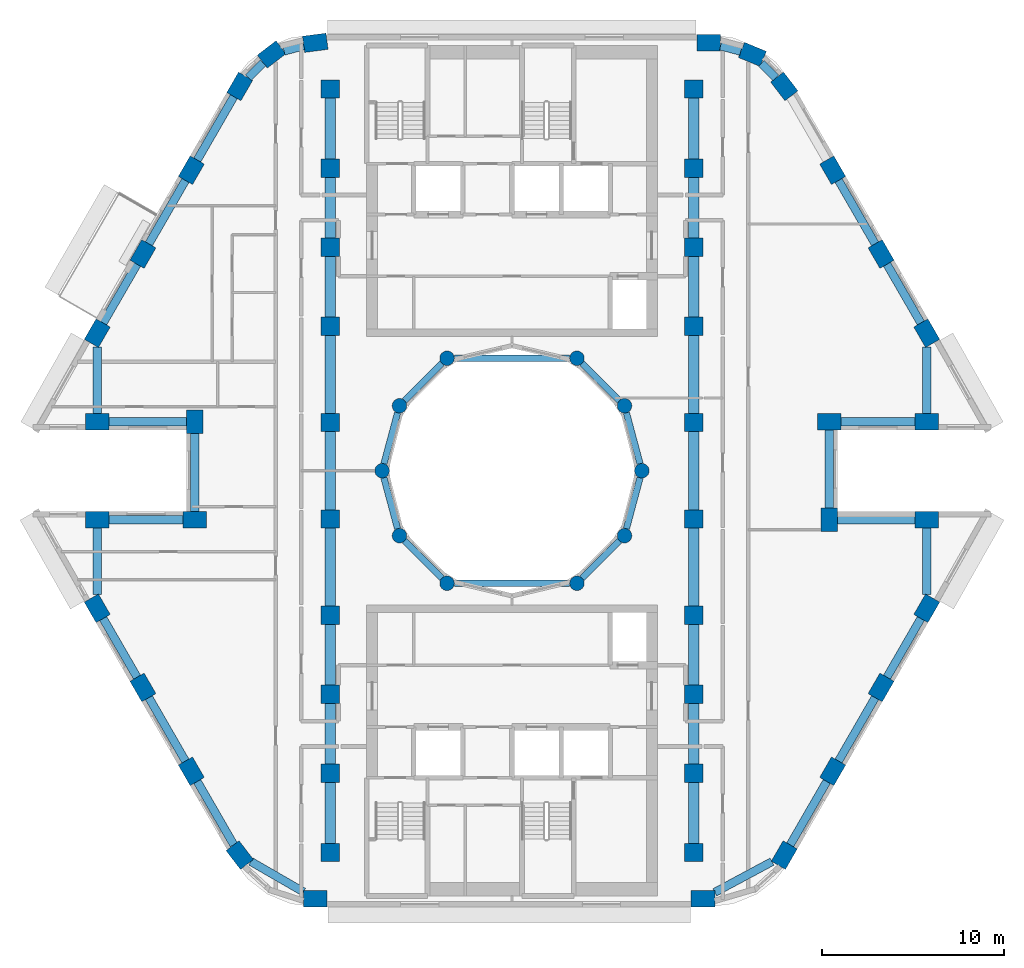
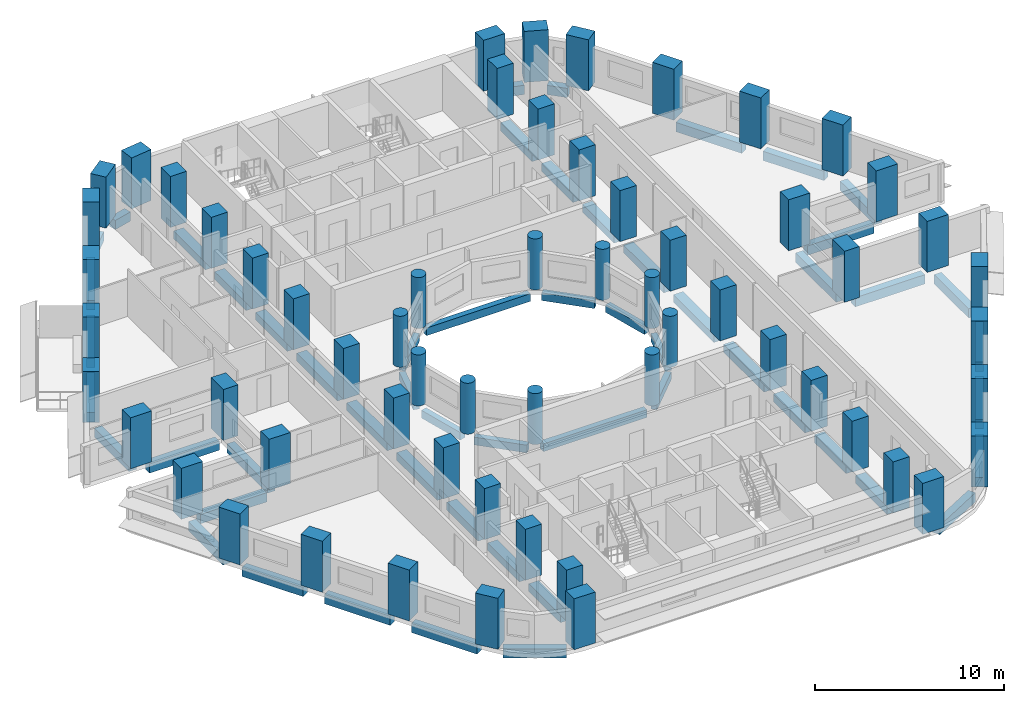
# One storey, part 1 of 13: 60 columns, 55 beams.
"""IFC4 building model written with IfcOpenShell, lengths in metres."""

from ifc_helpers import new_model, si_unit, direction, frame, origin, origin_2d, place, context, subcontext, project, spatial, rectangle, circle, extrude, material, material_profile, profile_set, type_object, element, save


model = new_model("IFC4")

# Units and contexts
model_context = context("Model", 3, precision=1e-05, world=origin(), true_north=direction((0.0, 1.0)))
body_context = subcontext(model_context, "Body", "Model", "MODEL_VIEW")
ifc_project = project(units=[si_unit("LENGTHUNIT", "METRE"), si_unit("AREAUNIT", "SQUARE_METRE"), si_unit("VOLUMEUNIT", "CUBIC_METRE"), si_unit("PLANEANGLEUNIT", "RADIAN"), si_unit("MASSUNIT", "GRAM", prefix="KILO")], contexts=[model_context])

# Site, building, storey
site_placement = place(None, origin())
site = spatial("IfcSite", under=ifc_project, at=site_placement, CompositionType="ELEMENT")
building_placement = place(site_placement, origin())
building = spatial("IfcBuilding", under=site, at=building_placement, Name="Nakaniwa Court", CompositionType="ELEMENT")
storey_placement = place(building_placement, frame((0.0, 0.0, 130.5)))
storey = spatial("IfcBuildingStorey", under=building, at=storey_placement, Name="L33", CompositionType="ELEMENT", Elevation=130.5)

# Columns
ifc_material = material(Name="Concrete C80/100", Category="concrete")
ifc_material_profile_1 = material_profile(ifc_material, rectangle(XDim=1.0, YDim=1.0, at=origin_2d()), Name="Concrete C80/100 RC 1000x1000 spine column")
ifc_profile_set_1 = profile_set([ifc_material_profile_1], Name="Concrete C80/100")
column_type_1 = type_object("IfcColumnType", Name="Concrete C80/100 RC 1000x1000 spine column", PredefinedType="COLUMN", material=ifc_profile_set_1)
for number, where, z_axis, x_axis, name in (
    (1, (90.0, 59.0, 0.0), (0.0, 0.0, 1.0), (0.0, 1.0, 0.0), "COLUMN CS-01"),
    (2, (90.0, 63.35009765625, 0.0), (0.0, 0.0, 1.0), (0.0, 1.0, 0.0), "COLUMN CS-02"),
    (3, (90.0, 67.699951171875, 0.0), (0.0, 0.0, 1.0), (0.0, 1.0, 0.0), "COLUMN CS-03"),
    (4, (90.0, 72.050048828125, 0.0), (0.0, 0.0, 1.0), (0.0, 1.0, 0.0), "COLUMN CS-04"),
    (5, (90.0, 77.35009765625, 0.0), (0.0, 0.0, 1.0), (0.0, 1.0, 0.0), "COLUMN CS-05"),
    (6, (90.0, 82.64990234375, 0.0), (0.0, 0.0, 1.0), (0.0, 1.0, 0.0), "COLUMN CS-06"),
    (7, (90.0, 87.949951171875, 0.0), (0.0, 0.0, 1.0), (0.0, 1.0, 0.0), "COLUMN CS-07"),
    (8, (90.0, 92.300048828125, 0.0), (0.0, 0.0, 1.0), (0.0, 1.0, 0.0), "COLUMN CS-08"),
    (9, (90.0, 96.64990234375, 0.0), (0.0, 0.0, 1.0), (0.0, 1.0, 0.0), "COLUMN CS-09"),
    (10, (90.0, 101.0, 0.0), (0.0, 0.0, 1.0), (0.0, 1.0, 0.0), "COLUMN CS-10"),
    (11, (70.0, 101.0, 0.0), (0.0, 0.0, 1.0), (0.0, -1.0, 0.0), "COLUMN CS-11"),
    (12, (70.0, 96.64990234375, 0.0), (0.0, 0.0, 1.0), (0.0, -1.0, 0.0), "COLUMN CS-12"),
    (13, (70.0, 92.300048828125, 0.0), (0.0, 0.0, 1.0), (0.0, -1.0, 0.0), "COLUMN CS-13"),
    (14, (70.0, 87.949951171875, 0.0), (0.0, 0.0, 1.0), (0.0, -1.0, 0.0), "COLUMN CS-14"),
    (15, (70.0, 82.64990234375, 0.0), (0.0, 0.0, 1.0), (0.0, -1.0, 0.0), "COLUMN CS-15"),
    (16, (70.0, 77.35009765625, 0.0), (0.0, 0.0, 1.0), (0.0, -1.0, 0.0), "COLUMN CS-16"),
    (17, (70.0, 72.050048828125, 0.0), (0.0, 0.0, 1.0), (0.0, -1.0, 0.0), "COLUMN CS-17"),
    (18, (70.0, 67.699951171875, 0.0), (0.0, 0.0, 1.0), (0.0, -1.0, 0.0), "COLUMN CS-18"),
    (19, (70.0, 63.35009765625, 0.0), (0.0, 0.0, 1.0), (0.0, -1.0, 0.0), "COLUMN CS-19"),
    (20, (70.0, 59.0, 0.0), (0.0, 0.0, 1.0), (0.0, -1.0, 0.0), "COLUMN CS-20"),
):
    element("IfcColumn", number, at=place(storey_placement, frame(where, z_axis=z_axis, x_axis=x_axis)), inside=storey, type_object=column_type_1, Name=name, PredefinedType="COLUMN", context=body_context, shape_type="SweptSolid", body=[
        extrude(rectangle(XDim=1.0, YDim=1.0, at=origin_2d()), origin(), (0.0, 0.0, 1.0), 3.300048828125),
    ])
ifc_material_profile_2 = material_profile(ifc_material, rectangle(XDim=1.300048828125, YDim=0.89990234375, at=origin_2d()), Name="Concrete C80/100 RC 1300x900 perimeter column")
ifc_profile_set_2 = profile_set([ifc_material_profile_2], Name="Concrete C80/100")
column_type_2 = type_object("IfcColumnType", Name="Concrete C80/100 RC 1300x900 perimeter column", PredefinedType="COLUMN", material=ifc_profile_set_2)
for number, where, z_axis, x_axis, name in (
    (21, (69.17529296875, 103.550048828125, 0.0), (0.0, 0.0, 1.0), (-0.991442583111, -0.130543496177, 0.0), "COLUMN CO-01"),
    (22, (66.772705078125, 102.91015625, 0.0), (0.0, 0.0, 1.0), (-0.793363965062, -0.608747582288, 0.0), "COLUMN CO-02"),
    (23, (65.017578125, 101.1494140625, 0.0), (0.0, 0.0, 1.0), (-0.5, -0.866025403784, 0.0), "COLUMN CO-03"),
    (24, (62.3544921875, 96.537109375, 0.0), (0.0, 0.0, 1.0), (-0.5, -0.866025403784, 0.0), "COLUMN CO-04"),
    (25, (59.691650390625, 91.9248046875, 0.0), (0.0, 0.0, 1.0), (-0.5, -0.866025403784, 0.0), "COLUMN CO-05"),
    (26, (57.177001953125, 87.569580078125, 0.0), (0.0, 0.0, 1.0), (-0.5, -0.866025403784, 0.0), "COLUMN CO-06"),
    (27, (57.177001953125, 82.699951171875, 0.0), (0.0, 0.0, 1.0), (1.0, 0.0, 0.0), "COLUMN CO-08"),
    (28, (62.54150390625, 82.699951171875, 0.0), (0.0, 0.0, 1.0), (0.0, -1.0, 0.0), "COLUMN CO-09"),
    (29, (62.54150390625, 77.300048828125, 0.0), (0.0, 0.0, 1.0), (-1.0, 0.0, 0.0), "COLUMN CO-10"),
    (30, (57.177001953125, 77.300048828125, 0.0), (0.0, 0.0, 1.0), (-1.0, 0.0, 0.0), "COLUMN CO-11"),
    (31, (57.177001953125, 72.430419921875, 0.0), (0.0, 0.0, 1.0), (0.5, -0.866025403784, 0.0), "COLUMN CO-13"),
    (32, (59.691650390625, 68.0751953125, 0.0), (0.0, 0.0, 1.0), (0.5, -0.866025403784, 0.0), "COLUMN CO-14"),
    (33, (62.3544921875, 63.462890625, 0.0), (0.0, 0.0, 1.0), (0.5, -0.866025403784, 0.0), "COLUMN CO-15"),
    (34, (65.017578125, 58.8505859375, 0.0), (0.0, 0.0, 1.0), (0.608761429009, -0.793353340291, 0.0), "COLUMN CO-16"),
    (35, (69.17529296875, 56.449951171875, 0.0), (0.0, 0.0, 1.0), (1.0, 0.0, 0.0), "COLUMN CO-17"),
    (36, (90.507080078125, 56.449951171875, 0.0), (0.0, 0.0, 1.0), (1.0, 0.0, 0.0), "COLUMN CO-21"),
    (37, (94.982421875, 58.8505859375, 0.0), (0.0, 0.0, 1.0), (0.5, 0.866025403784, 0.0), "COLUMN CO-22"),
    (38, (97.6455078125, 63.462890625, 0.0), (0.0, 0.0, 1.0), (0.5, 0.866025403784, 0.0), "COLUMN CO-23"),
    (39, (100.308349609375, 68.0751953125, 0.0), (0.0, 0.0, 1.0), (0.5, 0.866025403784, 0.0), "COLUMN CO-24"),
    (40, (102.822998046875, 72.430419921875, 0.0), (0.0, 0.0, 1.0), (0.5, 0.866025403784, 0.0), "COLUMN CO-25"),
    (41, (102.822998046875, 77.300048828125, 0.0), (0.0, 0.0, 1.0), (-1.0, 0.0, 0.0), "COLUMN CO-27"),
    (42, (97.45849609375, 77.300048828125, 0.0), (0.0, 0.0, 1.0), (0.0, 1.0, 0.0), "COLUMN CO-28"),
    (43, (97.45849609375, 82.699951171875, 0.0), (0.0, 0.0, 1.0), (1.0, 0.0, 0.0), "COLUMN CO-29"),
    (44, (102.822998046875, 82.699951171875, 0.0), (0.0, 0.0, 1.0), (1.0, 0.0, 0.0), "COLUMN CO-30"),
    (45, (102.822998046875, 87.569580078125, 0.0), (0.0, 0.0, 1.0), (-0.5, 0.866025403784, 0.0), "COLUMN CO-32"),
    (46, (100.308349609375, 91.9248046875, 0.0), (0.0, 0.0, 1.0), (-0.5, 0.866025403784, 0.0), "COLUMN CO-33"),
    (47, (97.6455078125, 96.537109375, 0.0), (0.0, 0.0, 1.0), (-0.5, 0.866025403784, 0.0), "COLUMN CO-34"),
    (48, (94.982421875, 101.1494140625, 0.0), (0.0, 0.0, 1.0), (-0.608761429009, 0.793353340291, 0.0), "COLUMN CO-35"),
    (49, (93.227294921875, 102.91015625, 0.0), (0.0, 0.0, 1.0), (-0.923879532511, 0.382683432365, 0.0), "COLUMN CO-36"),
    (50, (90.82470703125, 103.550048828125, 0.0), (0.0, 0.0, 1.0), (-1.0, 0.0, 0.0), "COLUMN CO-37"),
):
    element("IfcColumn", number, at=place(storey_placement, frame(where, z_axis=z_axis, x_axis=x_axis)), inside=storey, type_object=column_type_2, Name=name, PredefinedType="COLUMN", context=body_context, shape_type="SweptSolid", body=[
        extrude(rectangle(XDim=1.300048828125, YDim=0.89990234375, at=origin_2d()), origin(), (0.0, 0.0, 1.0), 3.300048828125),
    ])
ifc_material_profile_3 = material_profile(ifc_material, circle(Radius=0.39990234375, at=origin_2d()), Name="Concrete C80/100 RC D800 inner ring column")
ifc_profile_set_3 = profile_set([ifc_material_profile_3], Name="Concrete C80/100")
column_type_3 = type_object("IfcColumnType", Name="Concrete C80/100 RC D800 inner ring column", PredefinedType="COLUMN", material=ifc_profile_set_3)
for number, where, z_axis, x_axis, name in (
    (51, (87.14990234375, 80.0, 0.0), (0.0, 0.0, 1.0), (0.0, 1.0, 0.0), "COLUMN CI-01"),
    (52, (86.192138671875, 83.574951171875, 0.0), (0.0, 0.0, 1.0), (-0.5, 0.866025403784, 0.0), "COLUMN CI-02"),
    (53, (83.574951171875, 86.192138671875, 0.0), (0.0, 0.0, 1.0), (-0.866025403784, 0.5, 0.0), "COLUMN CI-03"),
    (54, (76.425048828125, 86.192138671875, 0.0), (0.0, 0.0, 1.0), (-0.866025403784, -0.5, 0.0), "COLUMN CI-05"),
    (55, (73.807861328125, 83.574951171875, 0.0), (0.0, 0.0, 1.0), (-0.5, -0.866025403784, 0.0), "COLUMN CI-06"),
    (56, (72.85009765625, 80.0, 0.0), (0.0, 0.0, 1.0), (0.0, -1.0, 0.0), "COLUMN CI-07"),
    (57, (73.807861328125, 76.425048828125, 0.0), (0.0, 0.0, 1.0), (0.5, -0.866025403784, 0.0), "COLUMN CI-08"),
    (58, (76.425048828125, 73.807861328125, 0.0), (0.0, 0.0, 1.0), (0.866025403784, -0.5, 0.0), "COLUMN CI-09"),
    (59, (83.574951171875, 73.807861328125, 0.0), (0.0, 0.0, 1.0), (0.866025403784, 0.5, 0.0), "COLUMN CI-11"),
    (60, (86.192138671875, 76.425048828125, 0.0), (0.0, 0.0, 1.0), (0.5, 0.866025403784, 0.0), "COLUMN CI-12"),
):
    element("IfcColumn", number, at=place(storey_placement, frame(where, z_axis=z_axis, x_axis=x_axis)), inside=storey, type_object=column_type_3, Name=name, PredefinedType="COLUMN", context=body_context, shape_type="SweptSolid", body=[
        extrude(circle(Radius=0.39990234375, at=origin_2d()), origin(), (0.0, 0.0, 1.0), 3.300048828125),
    ])

# Beams
ifc_material_profile_4 = material_profile(ifc_material, rectangle(XDim=0.35009765625, YDim=0.5, at=origin_2d()), Name="Concrete C80/100 RC 350x500 ring beam")
ifc_profile_set_4 = profile_set([ifc_material_profile_4], Name="Concrete C80/100")
beam_type_1 = type_object("IfcBeamType", Name="Concrete C80/100 RC 350x500 ring beam", PredefinedType="BEAM", material=ifc_profile_set_4)
beam_1_placement = place(storey_placement, frame((87.04638671875, 80.386474609375, -0.52490234375), z_axis=(-0.258778150207, 0.965936783115, 0.0), x_axis=(-0.965936783115, -0.258778150207, 0.0)))
element("IfcBeam", 61, at=beam_1_placement, inside=storey, type_object=beam_type_1, Name="RING BEAM", PredefinedType="BEAM", context=body_context, shape_type="SweptSolid", body=[
    extrude(rectangle(XDim=0.35009765625, YDim=0.5, at=origin_2d()), origin(), (0.0, 0.0, 1.0), 2.901123046875),
])
beam_2_placement = place(storey_placement, frame((85.9091796875, 83.85791015625, -0.52490234375), z_axis=(-0.707106781187, 0.707106781187, 0.0), x_axis=(-0.707106781187, -0.707106781187, 0.0)))
element("IfcBeam", 62, at=beam_2_placement, inside=storey, type_object=beam_type_1, Name="RING BEAM", PredefinedType="BEAM", context=body_context, shape_type="SweptSolid", body=[
    extrude(rectangle(XDim=0.35009765625, YDim=0.5, at=origin_2d()), origin(), (0.0, 0.0, 1.0), 2.90087890625),
])
beam_3_placement = place(storey_placement, frame((83.175048828125, 86.192138671875, -0.52490234375), z_axis=(-1.0, 0.0, 0.0), x_axis=(0.0, -1.0, 0.0)))
element("IfcBeam", 63, at=beam_3_placement, inside=storey, type_object=beam_type_1, Name="RING BEAM", PredefinedType="BEAM", context=body_context, shape_type="SweptSolid", body=[
    extrude(rectangle(XDim=0.35009765625, YDim=0.5, at=origin_2d()), origin(), (0.0, 0.0, 1.0), 6.35009765625),
])
beam_4_placement = place(storey_placement, frame((76.14208984375, 85.9091796875, -0.52490234375), z_axis=(-0.707106781187, -0.707106781187, 0.0), x_axis=(0.707106781187, -0.707106781187, 0.0)))
element("IfcBeam", 64, at=beam_4_placement, inside=storey, type_object=beam_type_1, Name="RING BEAM", PredefinedType="BEAM", context=body_context, shape_type="SweptSolid", body=[
    extrude(rectangle(XDim=0.35009765625, YDim=0.5, at=origin_2d()), origin(), (0.0, 0.0, 1.0), 2.90087890625),
])
for number, where, z_axis, x_axis, name in (
    (65, (73.704345703125, 83.188720703125, -0.52490234375), (-0.258778150207, -0.965936783115, 0.0), (0.965936783115, -0.258778150207, 0.0), "RING BEAM"),
    (66, (72.95361328125, 79.613525390625, -0.52490234375), (0.258778150207, -0.965936783115, 0.0), (0.965936783115, 0.258778150207, 0.0), "RING BEAM"),
):
    element("IfcBeam", number, at=place(storey_placement, frame(where, z_axis=z_axis, x_axis=x_axis)), inside=storey, type_object=beam_type_1, Name=name, PredefinedType="BEAM", context=body_context, shape_type="SweptSolid", body=[
        extrude(rectangle(XDim=0.35009765625, YDim=0.5, at=origin_2d()), origin(), (0.0, 0.0, 1.0), 2.901123046875),
    ])
beam_5_placement = place(storey_placement, frame((74.0908203125, 76.14208984375, -0.52490234375), z_axis=(0.707106781187, -0.707106781187, 0.0), x_axis=(0.707106781187, 0.707106781187, 0.0)))
element("IfcBeam", 67, at=beam_5_placement, inside=storey, type_object=beam_type_1, Name="RING BEAM", PredefinedType="BEAM", context=body_context, shape_type="SweptSolid", body=[
    extrude(rectangle(XDim=0.35009765625, YDim=0.5, at=origin_2d()), origin(), (0.0, 0.0, 1.0), 2.90087890625),
])
beam_6_placement = place(storey_placement, frame((76.824951171875, 73.807861328125, -0.52490234375), z_axis=(1.0, 0.0, 0.0), x_axis=(0.0, 1.0, 0.0)))
element("IfcBeam", 68, at=beam_6_placement, inside=storey, type_object=beam_type_1, Name="RING BEAM", PredefinedType="BEAM", context=body_context, shape_type="SweptSolid", body=[
    extrude(rectangle(XDim=0.35009765625, YDim=0.5, at=origin_2d()), origin(), (0.0, 0.0, 1.0), 6.35009765625),
])
beam_7_placement = place(storey_placement, frame((83.85791015625, 74.0908203125, -0.52490234375), z_axis=(0.707106781187, 0.707106781187, 0.0), x_axis=(-0.707106781187, 0.707106781187, 0.0)))
element("IfcBeam", 69, at=beam_7_placement, inside=storey, type_object=beam_type_1, Name="RING BEAM", PredefinedType="BEAM", context=body_context, shape_type="SweptSolid", body=[
    extrude(rectangle(XDim=0.35009765625, YDim=0.5, at=origin_2d()), origin(), (0.0, 0.0, 1.0), 2.90087890625),
])
beam_8_placement = place(storey_placement, frame((86.295654296875, 76.811279296875, -0.52490234375), z_axis=(0.258778150207, 0.965936783115, 0.0), x_axis=(-0.965936783115, 0.258778150207, 0.0)))
element("IfcBeam", 70, at=beam_8_placement, inside=storey, type_object=beam_type_1, Name="RING BEAM", PredefinedType="BEAM", context=body_context, shape_type="SweptSolid", body=[
    extrude(rectangle(XDim=0.35009765625, YDim=0.5, at=origin_2d()), origin(), (0.0, 0.0, 1.0), 2.901123046875),
])
ifc_material_profile_5 = material_profile(ifc_material, rectangle(XDim=0.449951171875, YDim=0.60009765625, at=origin_2d()), Name="Concrete C80/100 RC 450x600 spandrel beam")
ifc_profile_set_5 = profile_set([ifc_material_profile_5], Name="Concrete C80/100")
beam_type_2 = type_object("IfcBeamType", Name="Concrete C80/100 RC 450x600 spandrel beam", PredefinedType="BEAM", material=ifc_profile_set_5)
beam_9_placement = place(storey_placement, frame((68.5419921875, 103.38134765625, -0.574951171875), z_axis=(-0.966321172043, -0.257339061284, 0.0), x_axis=(0.257339061284, -0.966321172043, 0.0)))
element("IfcBeam", 71, at=beam_9_placement, inside=storey, type_object=beam_type_2, Name="SPANDREL BEAM", PredefinedType="BEAM", context=body_context, shape_type="SweptSolid", body=[
    extrude(rectangle(XDim=0.449951171875, YDim=0.60009765625, at=origin_2d()), origin(), (0.0, 0.0, 1.0), 1.126953125),
])
beam_10_placement = place(storey_placement, frame((66.309814453125, 102.44580078125, -0.574951171875), z_axis=(-0.706051557188, -0.708160432807, 0.0), x_axis=(0.708160432807, -0.706051557188, 0.0)))
element("IfcBeam", 72, at=beam_10_placement, inside=storey, type_object=beam_type_2, Name="SPANDREL BEAM", PredefinedType="BEAM", context=body_context, shape_type="SweptSolid", body=[
    extrude(rectangle(XDim=0.449951171875, YDim=0.60009765625, at=origin_2d()), origin(), (0.0, 0.0, 1.0), 1.15771484375),
])
for number, where, z_axis, x_axis, name in (
    (73, (64.6923828125, 100.586669921875, -0.574951171875), (-0.499993669216, -0.866029058833, 0.0), (0.866029058833, -0.499993669216, 0.0), "SPANDREL BEAM"),
    (74, (62.029541015625, 95.97412109375, -0.574951171875), (-0.499993669216, -0.866029058833, 0.0), (0.866029058833, -0.499993669216, 0.0), "SPANDREL BEAM"),
):
    element("IfcBeam", number, at=place(storey_placement, frame(where, z_axis=z_axis, x_axis=x_axis)), inside=storey, type_object=beam_type_2, Name=name, PredefinedType="BEAM", context=body_context, shape_type="SweptSolid", body=[
        extrude(rectangle(XDim=0.449951171875, YDim=0.60009765625, at=origin_2d()), origin(), (0.0, 0.0, 1.0), 4.02587890625),
    ])
beam_11_placement = place(storey_placement, frame((59.36669921875, 91.36181640625, -0.574951171875), z_axis=(-0.50001905207, -0.866014403787, 0.0), x_axis=(0.866014403787, -0.50001905207, 0.0)))
element("IfcBeam", 75, at=beam_11_placement, inside=storey, type_object=beam_type_2, Name="SPANDREL BEAM", PredefinedType="BEAM", context=body_context, shape_type="SweptSolid", body=[
    extrude(rectangle(XDim=0.449951171875, YDim=0.60009765625, at=origin_2d()), origin(), (0.0, 0.0, 1.0), 3.728759765625),
])
beam_12_placement = place(storey_placement, frame((57.177001953125, 86.819091796875, -0.574951171875), z_axis=(0.0, -1.0, 0.0), x_axis=(1.0, 0.0, 0.0)))
element("IfcBeam", 76, at=beam_12_placement, inside=storey, type_object=beam_type_2, Name="SPANDREL BEAM", PredefinedType="BEAM", context=body_context, shape_type="SweptSolid", body=[
    extrude(rectangle(XDim=0.449951171875, YDim=0.60009765625, at=origin_2d()), origin(), (0.0, 0.0, 1.0), 3.669189453125),
])
beam_13_placement = place(storey_placement, frame((57.8271484375, 82.699951171875, -0.574951171875), z_axis=(1.0, 0.0, 0.0), x_axis=(0.0, 1.0, 0.0)))
element("IfcBeam", 77, at=beam_13_placement, inside=storey, type_object=beam_type_2, Name="SPANDREL BEAM", PredefinedType="BEAM", context=body_context, shape_type="SweptSolid", body=[
    extrude(rectangle(XDim=0.449951171875, YDim=0.60009765625, at=origin_2d()), origin(), (0.0, 0.0, 1.0), 4.264404296875),
])
beam_14_placement = place(storey_placement, frame((62.54150390625, 82.050048828125, -0.574951171875), z_axis=(0.0, -1.0, 0.0), x_axis=(1.0, 0.0, 0.0)))
element("IfcBeam", 78, at=beam_14_placement, inside=storey, type_object=beam_type_2, Name="SPANDREL BEAM", PredefinedType="BEAM", context=body_context, shape_type="SweptSolid", body=[
    extrude(rectangle(XDim=0.449951171875, YDim=0.60009765625, at=origin_2d()), origin(), (0.0, 0.0, 1.0), 4.300048828125),
])
beam_15_placement = place(storey_placement, frame((61.8916015625, 77.300048828125, -0.574951171875), z_axis=(-1.0, 0.0, 0.0), x_axis=(0.0, -1.0, 0.0)))
element("IfcBeam", 79, at=beam_15_placement, inside=storey, type_object=beam_type_2, Name="SPANDREL BEAM", PredefinedType="BEAM", context=body_context, shape_type="SweptSolid", body=[
    extrude(rectangle(XDim=0.449951171875, YDim=0.60009765625, at=origin_2d()), origin(), (0.0, 0.0, 1.0), 4.064453125),
])
beam_16_placement = place(storey_placement, frame((57.177001953125, 76.85009765625, -0.574951171875), z_axis=(0.0, -1.0, 0.0), x_axis=(1.0, 0.0, 0.0)))
element("IfcBeam", 80, at=beam_16_placement, inside=storey, type_object=beam_type_2, Name="SPANDREL BEAM", PredefinedType="BEAM", context=body_context, shape_type="SweptSolid", body=[
    extrude(rectangle(XDim=0.449951171875, YDim=0.60009765625, at=origin_2d()), origin(), (0.0, 0.0, 1.0), 3.669189453125),
])
beam_17_placement = place(storey_placement, frame((57.502197265625, 71.867431640625, -0.574951171875), z_axis=(0.50001905207, -0.866014403787, 0.0), x_axis=(0.866014403787, 0.50001905207, 0.0)))
element("IfcBeam", 81, at=beam_17_placement, inside=storey, type_object=beam_type_2, Name="SPANDREL BEAM", PredefinedType="BEAM", context=body_context, shape_type="SweptSolid", body=[
    extrude(rectangle(XDim=0.449951171875, YDim=0.60009765625, at=origin_2d()), origin(), (0.0, 0.0, 1.0), 3.728759765625),
])
beam_18_placement = place(storey_placement, frame((60.0166015625, 67.512451171875, -0.574951171875), z_axis=(0.499993669216, -0.866029058833, 0.0), x_axis=(0.866029058833, 0.499993669216, 0.0)))
element("IfcBeam", 82, at=beam_18_placement, inside=storey, type_object=beam_type_2, Name="SPANDREL BEAM", PredefinedType="BEAM", context=body_context, shape_type="SweptSolid", body=[
    extrude(rectangle(XDim=0.449951171875, YDim=0.60009765625, at=origin_2d()), origin(), (0.0, 0.0, 1.0), 4.02587890625),
])
beam_19_placement = place(storey_placement, frame((62.679443359375, 62.89990234375, -0.574951171875), z_axis=(0.500018573463, -0.866014680125, 0.0), x_axis=(0.866014680125, 0.500018573463, 0.0)))
element("IfcBeam", 83, at=beam_19_placement, inside=storey, type_object=beam_type_2, Name="SPANDREL BEAM", PredefinedType="BEAM", context=body_context, shape_type="SweptSolid", body=[
    extrude(rectangle(XDim=0.449951171875, YDim=0.60009765625, at=origin_2d()), origin(), (0.0, 0.0, 1.0), 4.020263671875),
])
beam_20_placement = place(storey_placement, frame((65.626708984375, 58.498779296875, -0.574951171875), z_axis=(0.866021605644, -0.500006578514, 0.0), x_axis=(0.500006578514, 0.866021605644, 0.0)))
element("IfcBeam", 84, at=beam_20_placement, inside=storey, type_object=beam_type_2, Name="SPANDREL BEAM", PredefinedType="BEAM", context=body_context, shape_type="SweptSolid", body=[
    extrude(rectangle(XDim=0.449951171875, YDim=0.60009765625, at=origin_2d()), origin(), (0.0, 0.0, 1.0), 3.34716796875),
])
beam_21_placement = place(storey_placement, frame((91.156982421875, 56.798583984375, -0.574951171875), z_axis=(0.881239336512, 0.472670320397, 0.0), x_axis=(-0.472670320397, 0.881239336512, 0.0)))
element("IfcBeam", 85, at=beam_21_placement, inside=storey, type_object=beam_type_2, Name="SPANDREL BEAM", PredefinedType="BEAM", context=body_context, shape_type="SweptSolid", body=[
    extrude(rectangle(XDim=0.449951171875, YDim=0.60009765625, at=origin_2d()), origin(), (0.0, 0.0, 1.0), 3.576416015625),
])
for number, where, z_axis, x_axis, name in (
    (86, (95.3076171875, 59.413330078125, -0.574951171875), (0.499993669216, 0.866029058833, 0.0), (-0.866029058833, 0.499993669216, 0.0), "SPANDREL BEAM"),
    (87, (97.970458984375, 64.02587890625, -0.574951171875), (0.499993669216, 0.866029058833, 0.0), (-0.866029058833, 0.499993669216, 0.0), "SPANDREL BEAM"),
):
    element("IfcBeam", number, at=place(storey_placement, frame(where, z_axis=z_axis, x_axis=x_axis)), inside=storey, type_object=beam_type_2, Name=name, PredefinedType="BEAM", context=body_context, shape_type="SweptSolid", body=[
        extrude(rectangle(XDim=0.449951171875, YDim=0.60009765625, at=origin_2d()), origin(), (0.0, 0.0, 1.0), 4.02587890625),
    ])
beam_22_placement = place(storey_placement, frame((100.63330078125, 68.63818359375, -0.574951171875), z_axis=(0.50001905207, 0.866014403787, 0.0), x_axis=(-0.866014403787, 0.50001905207, 0.0)))
element("IfcBeam", 88, at=beam_22_placement, inside=storey, type_object=beam_type_2, Name="SPANDREL BEAM", PredefinedType="BEAM", context=body_context, shape_type="SweptSolid", body=[
    extrude(rectangle(XDim=0.449951171875, YDim=0.60009765625, at=origin_2d()), origin(), (0.0, 0.0, 1.0), 3.728759765625),
])
beam_23_placement = place(storey_placement, frame((102.822998046875, 73.180908203125, -0.574951171875), z_axis=(0.0, 1.0, 0.0), x_axis=(-1.0, 0.0, 0.0)))
element("IfcBeam", 89, at=beam_23_placement, inside=storey, type_object=beam_type_2, Name="SPANDREL BEAM", PredefinedType="BEAM", context=body_context, shape_type="SweptSolid", body=[
    extrude(rectangle(XDim=0.449951171875, YDim=0.60009765625, at=origin_2d()), origin(), (0.0, 0.0, 1.0), 3.669189453125),
])
beam_24_placement = place(storey_placement, frame((102.1728515625, 77.300048828125, -0.574951171875), z_axis=(-1.0, 0.0, 0.0), x_axis=(0.0, -1.0, 0.0)))
element("IfcBeam", 90, at=beam_24_placement, inside=storey, type_object=beam_type_2, Name="SPANDREL BEAM", PredefinedType="BEAM", context=body_context, shape_type="SweptSolid", body=[
    extrude(rectangle(XDim=0.449951171875, YDim=0.60009765625, at=origin_2d()), origin(), (0.0, 0.0, 1.0), 4.264404296875),
])
beam_25_placement = place(storey_placement, frame((97.45849609375, 77.949951171875, -0.574951171875), z_axis=(0.0, 1.0, 0.0), x_axis=(-1.0, 0.0, 0.0)))
element("IfcBeam", 91, at=beam_25_placement, inside=storey, type_object=beam_type_2, Name="SPANDREL BEAM", PredefinedType="BEAM", context=body_context, shape_type="SweptSolid", body=[
    extrude(rectangle(XDim=0.449951171875, YDim=0.60009765625, at=origin_2d()), origin(), (0.0, 0.0, 1.0), 4.300048828125),
])
beam_26_placement = place(storey_placement, frame((98.1083984375, 82.699951171875, -0.574951171875), z_axis=(1.0, 0.0, 0.0), x_axis=(0.0, 1.0, 0.0)))
element("IfcBeam", 92, at=beam_26_placement, inside=storey, type_object=beam_type_2, Name="SPANDREL BEAM", PredefinedType="BEAM", context=body_context, shape_type="SweptSolid", body=[
    extrude(rectangle(XDim=0.449951171875, YDim=0.60009765625, at=origin_2d()), origin(), (0.0, 0.0, 1.0), 4.064453125),
])
beam_27_placement = place(storey_placement, frame((102.822998046875, 83.14990234375, -0.574951171875), z_axis=(0.0, 1.0, 0.0), x_axis=(-1.0, 0.0, 0.0)))
element("IfcBeam", 93, at=beam_27_placement, inside=storey, type_object=beam_type_2, Name="SPANDREL BEAM", PredefinedType="BEAM", context=body_context, shape_type="SweptSolid", body=[
    extrude(rectangle(XDim=0.449951171875, YDim=0.60009765625, at=origin_2d()), origin(), (0.0, 0.0, 1.0), 3.669189453125),
])
beam_28_placement = place(storey_placement, frame((102.497802734375, 88.132568359375, -0.574951171875), z_axis=(-0.50001905207, 0.866014403787, 0.0), x_axis=(-0.866014403787, -0.50001905207, 0.0)))
element("IfcBeam", 94, at=beam_28_placement, inside=storey, type_object=beam_type_2, Name="SPANDREL BEAM", PredefinedType="BEAM", context=body_context, shape_type="SweptSolid", body=[
    extrude(rectangle(XDim=0.449951171875, YDim=0.60009765625, at=origin_2d()), origin(), (0.0, 0.0, 1.0), 3.728759765625),
])
beam_29_placement = place(storey_placement, frame((99.9833984375, 92.487548828125, -0.574951171875), z_axis=(-0.499993669216, 0.866029058833, 0.0), x_axis=(-0.866029058833, -0.499993669216, 0.0)))
element("IfcBeam", 95, at=beam_29_placement, inside=storey, type_object=beam_type_2, Name="SPANDREL BEAM", PredefinedType="BEAM", context=body_context, shape_type="SweptSolid", body=[
    extrude(rectangle(XDim=0.449951171875, YDim=0.60009765625, at=origin_2d()), origin(), (0.0, 0.0, 1.0), 4.02587890625),
])
beam_30_placement = place(storey_placement, frame((94.519775390625, 101.61376953125, -0.574951171875), z_axis=(-0.706022429805, 0.708189472254, 0.0), x_axis=(-0.708189472254, -0.706022429805, 0.0)))
element("IfcBeam", 96, at=beam_30_placement, inside=storey, type_object=beam_type_2, Name="SPANDREL BEAM", PredefinedType="BEAM", context=body_context, shape_type="SweptSolid", body=[
    extrude(rectangle(XDim=0.449951171875, YDim=0.60009765625, at=origin_2d()), origin(), (0.0, 0.0, 1.0), 1.126708984375),
])
beam_31_placement = place(storey_placement, frame((92.593505859375, 103.078857421875, -0.574951171875), z_axis=(-0.966294404875, 0.257439552335, 0.0), x_axis=(-0.257439552335, -0.966294404875, 0.0)))
element("IfcBeam", 97, at=beam_31_placement, inside=storey, type_object=beam_type_2, Name="SPANDREL BEAM", PredefinedType="BEAM", context=body_context, shape_type="SweptSolid", body=[
    extrude(rectangle(XDim=0.449951171875, YDim=0.60009765625, at=origin_2d()), origin(), (0.0, 0.0, 1.0), 1.157958984375),
])
ifc_material_profile_6 = material_profile(ifc_material, rectangle(XDim=0.60009765625, YDim=0.5, at=origin_2d()), Name="Concrete C80/100 RC 600x500 ring beam")
ifc_profile_set_6 = profile_set([ifc_material_profile_6], Name="Concrete C80/100")
beam_type_3 = type_object("IfcBeamType", Name="Concrete C80/100 RC 600x500 ring beam", PredefinedType="BEAM", material=ifc_profile_set_6)
beam_32_placement = place(storey_placement, frame((90.0, 59.5, -0.52490234375), z_axis=(0.0, 1.0, 0.0), x_axis=(-1.0, 0.0, 0.0)))
element("IfcBeam", 98, at=beam_32_placement, inside=storey, type_object=beam_type_3, Name="RING BEAM", PredefinedType="BEAM", context=body_context, shape_type="SweptSolid", body=[
    extrude(rectangle(XDim=0.60009765625, YDim=0.5, at=origin_2d()), origin(), (0.0, 0.0, 1.0), 3.35009765625),
])
beam_33_placement = place(storey_placement, frame((90.0, 63.85009765625, -0.52490234375), z_axis=(0.0, 1.0, 0.0), x_axis=(-1.0, 0.0, 0.0)))
element("IfcBeam", 99, at=beam_33_placement, inside=storey, type_object=beam_type_3, Name="RING BEAM", PredefinedType="BEAM", context=body_context, shape_type="SweptSolid", body=[
    extrude(rectangle(XDim=0.60009765625, YDim=0.5, at=origin_2d()), origin(), (0.0, 0.0, 1.0), 3.349853515625),
])
beam_34_placement = place(storey_placement, frame((90.0, 68.199951171875, -0.52490234375), z_axis=(0.0, 1.0, 0.0), x_axis=(-1.0, 0.0, 0.0)))
element("IfcBeam", 100, at=beam_34_placement, inside=storey, type_object=beam_type_3, Name="RING BEAM", PredefinedType="BEAM", context=body_context, shape_type="SweptSolid", body=[
    extrude(rectangle(XDim=0.60009765625, YDim=0.5, at=origin_2d()), origin(), (0.0, 0.0, 1.0), 3.35009765625),
])
beam_35_placement = place(storey_placement, frame((90.0, 72.550048828125, -0.52490234375), z_axis=(0.0, 1.0, 0.0), x_axis=(-1.0, 0.0, 0.0)))
element("IfcBeam", 101, at=beam_35_placement, inside=storey, type_object=beam_type_3, Name="RING BEAM", PredefinedType="BEAM", context=body_context, shape_type="SweptSolid", body=[
    extrude(rectangle(XDim=0.60009765625, YDim=0.5, at=origin_2d()), origin(), (0.0, 0.0, 1.0), 4.300048828125),
])
beam_36_placement = place(storey_placement, frame((90.0, 77.85009765625, -0.52490234375), z_axis=(0.0, 1.0, 0.0), x_axis=(-1.0, 0.0, 0.0)))
element("IfcBeam", 102, at=beam_36_placement, inside=storey, type_object=beam_type_3, Name="RING BEAM", PredefinedType="BEAM", context=body_context, shape_type="SweptSolid", body=[
    extrude(rectangle(XDim=0.60009765625, YDim=0.5, at=origin_2d()), origin(), (0.0, 0.0, 1.0), 4.2998046875),
])
beam_37_placement = place(storey_placement, frame((90.0, 83.14990234375, -0.52490234375), z_axis=(0.0, 1.0, 0.0), x_axis=(-1.0, 0.0, 0.0)))
element("IfcBeam", 103, at=beam_37_placement, inside=storey, type_object=beam_type_3, Name="RING BEAM", PredefinedType="BEAM", context=body_context, shape_type="SweptSolid", body=[
    extrude(rectangle(XDim=0.60009765625, YDim=0.5, at=origin_2d()), origin(), (0.0, 0.0, 1.0), 4.300048828125),
])
beam_38_placement = place(storey_placement, frame((90.0, 88.449951171875, -0.52490234375), z_axis=(0.0, 1.0, 0.0), x_axis=(-1.0, 0.0, 0.0)))
element("IfcBeam", 104, at=beam_38_placement, inside=storey, type_object=beam_type_3, Name="RING BEAM", PredefinedType="BEAM", context=body_context, shape_type="SweptSolid", body=[
    extrude(rectangle(XDim=0.60009765625, YDim=0.5, at=origin_2d()), origin(), (0.0, 0.0, 1.0), 3.35009765625),
])
beam_39_placement = place(storey_placement, frame((90.0, 92.800048828125, -0.52490234375), z_axis=(0.0, 1.0, 0.0), x_axis=(-1.0, 0.0, 0.0)))
element("IfcBeam", 105, at=beam_39_placement, inside=storey, type_object=beam_type_3, Name="RING BEAM", PredefinedType="BEAM", context=body_context, shape_type="SweptSolid", body=[
    extrude(rectangle(XDim=0.60009765625, YDim=0.5, at=origin_2d()), origin(), (0.0, 0.0, 1.0), 3.349853515625),
])
for number, where, z_axis, x_axis, name in (
    (106, (90.0, 97.14990234375, -0.52490234375), (0.0, 1.0, 0.0), (-1.0, 0.0, 0.0), "RING BEAM"),
    (107, (70.0, 100.5, -0.52490234375), (0.0, -1.0, 0.0), (1.0, 0.0, 0.0), "RING BEAM"),
):
    element("IfcBeam", number, at=place(storey_placement, frame(where, z_axis=z_axis, x_axis=x_axis)), inside=storey, type_object=beam_type_3, Name=name, PredefinedType="BEAM", context=body_context, shape_type="SweptSolid", body=[
        extrude(rectangle(XDim=0.60009765625, YDim=0.5, at=origin_2d()), origin(), (0.0, 0.0, 1.0), 3.35009765625),
    ])
beam_40_placement = place(storey_placement, frame((70.0, 96.14990234375, -0.52490234375), z_axis=(0.0, -1.0, 0.0), x_axis=(1.0, 0.0, 0.0)))
element("IfcBeam", 108, at=beam_40_placement, inside=storey, type_object=beam_type_3, Name="RING BEAM", PredefinedType="BEAM", context=body_context, shape_type="SweptSolid", body=[
    extrude(rectangle(XDim=0.60009765625, YDim=0.5, at=origin_2d()), origin(), (0.0, 0.0, 1.0), 3.349853515625),
])
beam_41_placement = place(storey_placement, frame((70.0, 91.800048828125, -0.52490234375), z_axis=(0.0, -1.0, 0.0), x_axis=(1.0, 0.0, 0.0)))
element("IfcBeam", 109, at=beam_41_placement, inside=storey, type_object=beam_type_3, Name="RING BEAM", PredefinedType="BEAM", context=body_context, shape_type="SweptSolid", body=[
    extrude(rectangle(XDim=0.60009765625, YDim=0.5, at=origin_2d()), origin(), (0.0, 0.0, 1.0), 3.35009765625),
])
beam_42_placement = place(storey_placement, frame((70.0, 87.449951171875, -0.52490234375), z_axis=(0.0, -1.0, 0.0), x_axis=(1.0, 0.0, 0.0)))
element("IfcBeam", 110, at=beam_42_placement, inside=storey, type_object=beam_type_3, Name="RING BEAM", PredefinedType="BEAM", context=body_context, shape_type="SweptSolid", body=[
    extrude(rectangle(XDim=0.60009765625, YDim=0.5, at=origin_2d()), origin(), (0.0, 0.0, 1.0), 4.300048828125),
])
beam_43_placement = place(storey_placement, frame((70.0, 82.14990234375, -0.52490234375), z_axis=(0.0, -1.0, 0.0), x_axis=(1.0, 0.0, 0.0)))
element("IfcBeam", 111, at=beam_43_placement, inside=storey, type_object=beam_type_3, Name="RING BEAM", PredefinedType="BEAM", context=body_context, shape_type="SweptSolid", body=[
    extrude(rectangle(XDim=0.60009765625, YDim=0.5, at=origin_2d()), origin(), (0.0, 0.0, 1.0), 4.2998046875),
])
beam_44_placement = place(storey_placement, frame((70.0, 76.85009765625, -0.52490234375), z_axis=(0.0, -1.0, 0.0), x_axis=(1.0, 0.0, 0.0)))
element("IfcBeam", 112, at=beam_44_placement, inside=storey, type_object=beam_type_3, Name="RING BEAM", PredefinedType="BEAM", context=body_context, shape_type="SweptSolid", body=[
    extrude(rectangle(XDim=0.60009765625, YDim=0.5, at=origin_2d()), origin(), (0.0, 0.0, 1.0), 4.300048828125),
])
beam_45_placement = place(storey_placement, frame((70.0, 71.550048828125, -0.52490234375), z_axis=(0.0, -1.0, 0.0), x_axis=(1.0, 0.0, 0.0)))
element("IfcBeam", 113, at=beam_45_placement, inside=storey, type_object=beam_type_3, Name="RING BEAM", PredefinedType="BEAM", context=body_context, shape_type="SweptSolid", body=[
    extrude(rectangle(XDim=0.60009765625, YDim=0.5, at=origin_2d()), origin(), (0.0, 0.0, 1.0), 3.35009765625),
])
beam_46_placement = place(storey_placement, frame((70.0, 67.199951171875, -0.52490234375), z_axis=(0.0, -1.0, 0.0), x_axis=(1.0, 0.0, 0.0)))
element("IfcBeam", 114, at=beam_46_placement, inside=storey, type_object=beam_type_3, Name="RING BEAM", PredefinedType="BEAM", context=body_context, shape_type="SweptSolid", body=[
    extrude(rectangle(XDim=0.60009765625, YDim=0.5, at=origin_2d()), origin(), (0.0, 0.0, 1.0), 3.349853515625),
])
beam_47_placement = place(storey_placement, frame((70.0, 62.85009765625, -0.52490234375), z_axis=(0.0, -1.0, 0.0), x_axis=(1.0, 0.0, 0.0)))
element("IfcBeam", 115, at=beam_47_placement, inside=storey, type_object=beam_type_3, Name="RING BEAM", PredefinedType="BEAM", context=body_context, shape_type="SweptSolid", body=[
    extrude(rectangle(XDim=0.60009765625, YDim=0.5, at=origin_2d()), origin(), (0.0, 0.0, 1.0), 3.35009765625),
])

save(model, "model.ifc")
